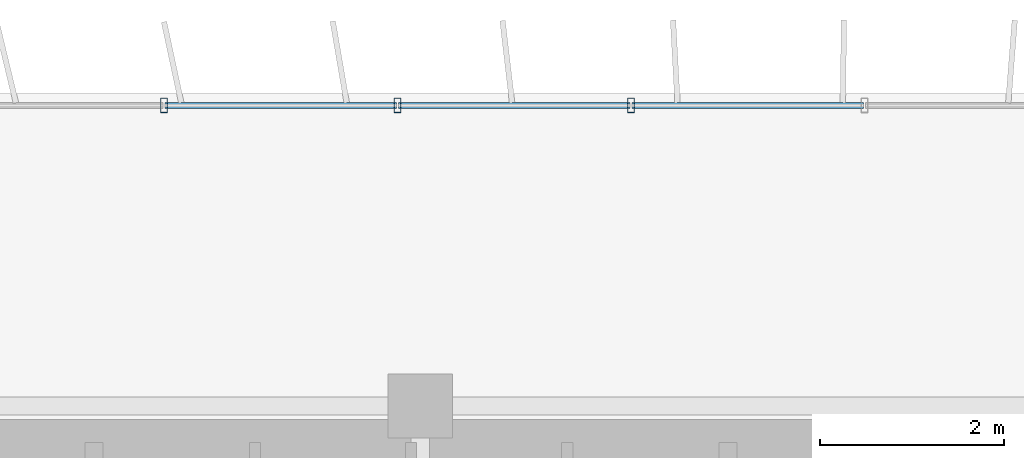
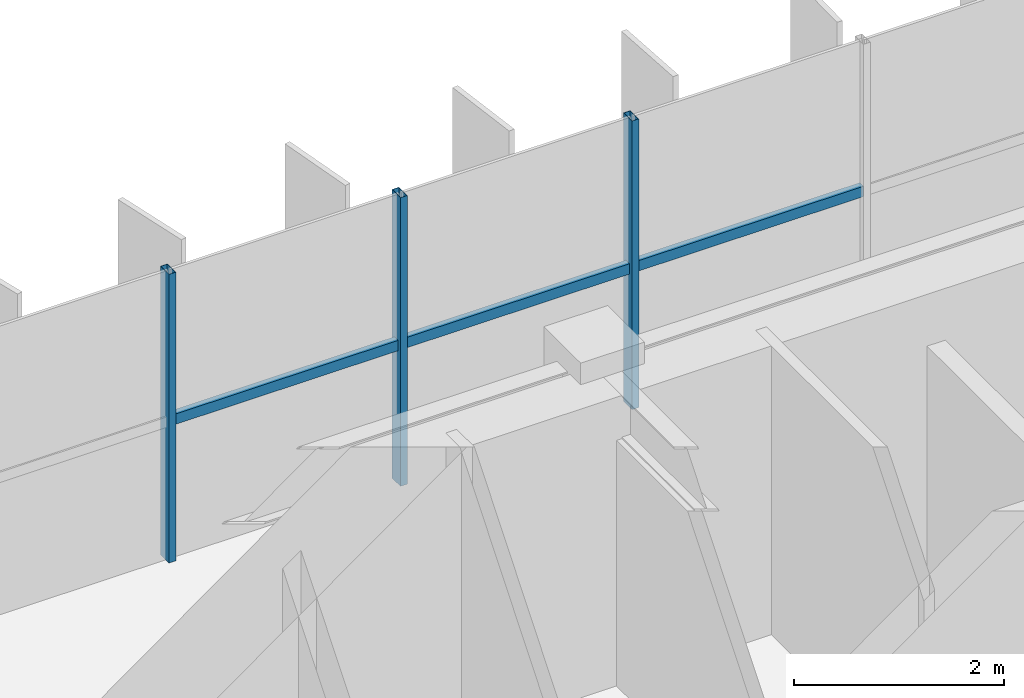
# One storey, part 9 of 21: 6 members, 1 element without a shape of its own.
"""IFC4 building model written with IfcOpenShell, lengths in metres."""

from ifc_helpers import new_model, si_unit, direction, frame, origin, origin_2d, place, context, subcontext, project, spatial, hollow_rectangle, extrude, source, transform, mapped, material, material_profile, profile_set, type_object, element, aggregate, save


model = new_model("IFC4")

# Units and contexts
model_context = context("Model", 3, precision=1e-05, world=origin(), true_north=direction((0.0, 1.0)))
body_context = subcontext(model_context, "Body", "Model", "MODEL_VIEW")
ifc_project = project(units=[si_unit("LENGTHUNIT", "METRE"), si_unit("AREAUNIT", "SQUARE_METRE"), si_unit("VOLUMEUNIT", "CUBIC_METRE"), si_unit("PLANEANGLEUNIT", "RADIAN"), si_unit("MASSUNIT", "GRAM", prefix="KILO")], contexts=[model_context])

# Site, building, storey
site_placement = place(None, origin())
site = spatial("IfcSite", under=ifc_project, at=site_placement, CompositionType="ELEMENT")
building_placement = place(site_placement, origin())
building = spatial("IfcBuilding", under=site, at=building_placement, Name="Trelvane Seafront Commons", CompositionType="ELEMENT")
storey_placement = place(building_placement, frame((0.0, 0.0, 153.699951171875)))
storey = spatial("IfcBuildingStorey", under=building, at=storey_placement, Name="L40", CompositionType="ELEMENT", Elevation=153.699951171875)

# Curtain wall, members
ifc_material = material(Name="Anodised pale-silver aluminium", Category="aluminium")
curtain_wall_type = type_object("IfcCurtainWallType", Name="ARCH-CW5-UPTOWER", PredefinedType="NOTDEFINED", material=ifc_material)
curtain_wall_placement = place(storey_placement, origin())
curtain_wall = element("IfcCurtainWall", 1, at=curtain_wall_placement, inside=storey, type_object=curtain_wall_type, Name="CW-L40-0067", PredefinedType="NOTDEFINED")
ifc_material_profile_1 = material_profile(ifc_material, hollow_rectangle(XDim=0.070068359375, YDim=0.1201171875, WallThickness=0.00390625, at=origin_2d()), Name="TRAN-70x120x4")
ifc_profile_set_1 = profile_set([ifc_material_profile_1], Name="Anodised pale-silver aluminium")
member_type_1 = type_object("IfcMemberType", Name="ARCH-CW-TRAN-120", PredefinedType="USERDEFINED", material=ifc_profile_set_1)
shared_shape_1 = source(origin(), body_context, "Body", "SweptSolid", [
    extrude(hollow_rectangle(XDim=0.070068359375, YDim=0.1201171875, WallThickness=0.00390625, at=origin_2d()), origin(), (0.0, 0.0, 1.0), 2.51708984375),
])
member_1_placement = place(storey_placement, frame((43.56494140625, 48.3701171875, 1.608154296875), z_axis=(1.0, 0.0, 0.0), x_axis=(0.0, 1.0, 0.0)))
member_1 = element("IfcMember", 2, at=member_1_placement, type_object=member_type_1, Name="CW-L40-0067-T11", ObjectType="TRANSOM", PredefinedType="USERDEFINED", context=body_context, shape_type="MappedRepresentation", body=[
    mapped(shared_shape_1, transform((0.0, 0.0, 0.0), x_axis=(1.0, 0.0, 0.0), y_axis=(0.0, 1.0, 0.0), z_axis=(0.0, 0.0, 1.0), scale=1.0)),
])
member_2_placement = place(storey_placement, frame((46.106201171875, 48.3701171875, 1.608154296875), z_axis=(1.0, 0.0, 0.0), x_axis=(0.0, 1.0, 0.0)))
member_2 = element("IfcMember", 3, at=member_2_placement, type_object=member_type_1, Name="CW-L40-0067-T12", ObjectType="TRANSOM", PredefinedType="USERDEFINED", context=body_context, shape_type="MappedRepresentation", body=[
    mapped(shared_shape_1, transform((0.0, 0.0, 0.0), x_axis=(1.0, 0.0, 0.0), y_axis=(0.0, 1.0, 0.0), z_axis=(0.0, 0.0, 1.0), scale=1.0)),
])
shared_shape_2 = source(origin(), body_context, "Body", "SweptSolid", [
    extrude(hollow_rectangle(XDim=0.070068359375, YDim=0.1201171875, WallThickness=0.00390625, at=origin_2d()), origin(), (0.0, 0.0, 1.0), 2.517333984375),
])
member_3_placement = place(storey_placement, frame((41.023681640625, 48.3701171875, 1.608154296875), z_axis=(1.0, 0.0, 0.0), x_axis=(0.0, 1.0, 0.0)))
member_3 = element("IfcMember", 4, at=member_3_placement, type_object=member_type_1, Name="CW-L40-0067-T10", ObjectType="TRANSOM", PredefinedType="USERDEFINED", context=body_context, shape_type="MappedRepresentation", body=[
    mapped(shared_shape_2, transform((0.0, 0.0, 0.0), x_axis=(1.0, 0.0, 0.0), y_axis=(0.0, 1.0, 0.0), z_axis=(0.0, 0.0, 1.0), scale=1.0)),
])
ifc_material_profile_2 = material_profile(ifc_material, hollow_rectangle(XDim=0.074951171875, YDim=0.159912109375, WallThickness=0.00390625, at=origin_2d()), Name="MULL-75x160x4")
ifc_profile_set_2 = profile_set([ifc_material_profile_2], Name="Anodised pale-silver aluminium")
member_type_2 = type_object("IfcMemberType", Name="ARCH-CW-MULL-160", PredefinedType="MULLION", material=ifc_profile_set_2)
shared_shape_3 = source(origin(), body_context, "Body", "SweptSolid", [
    extrude(hollow_rectangle(XDim=0.074951171875, YDim=0.159912109375, WallThickness=0.00390625, at=origin_2d()), origin(), (0.0, 0.0, 1.0), 3.35009765625),
])
member_4_placement = place(storey_placement, frame((41.01171875, 48.3701171875, 0.0), z_axis=(0.0, 0.0, 1.0), x_axis=(1.0, 0.0, 0.0)))
member_4 = element("IfcMember", 5, at=member_4_placement, type_object=member_type_2, Name="CW-L40-0067-M10", PredefinedType="MULLION", context=body_context, shape_type="MappedRepresentation", body=[
    mapped(shared_shape_3, transform((0.0, 0.0, 0.0), x_axis=(1.0, 0.0, 0.0), y_axis=(0.0, 1.0, 0.0), z_axis=(0.0, 0.0, 1.0), scale=1.0)),
])
member_5_placement = place(storey_placement, frame((43.552978515625, 48.3701171875, 0.0), z_axis=(0.0, 0.0, 1.0), x_axis=(1.0, 0.0, 0.0)))
member_5 = element("IfcMember", 6, at=member_5_placement, type_object=member_type_2, Name="CW-L40-0067-M11", PredefinedType="MULLION", context=body_context, shape_type="MappedRepresentation", body=[
    mapped(shared_shape_3, transform((0.0, 0.0, 0.0), x_axis=(1.0, 0.0, 0.0), y_axis=(0.0, 1.0, 0.0), z_axis=(0.0, 0.0, 1.0), scale=1.0)),
])
member_6_placement = place(storey_placement, frame((46.093994140625, 48.3701171875, 0.0), z_axis=(0.0, 0.0, 1.0), x_axis=(1.0, 0.0, 0.0)))
member_6 = element("IfcMember", 7, at=member_6_placement, type_object=member_type_2, Name="CW-L40-0067-M12", PredefinedType="MULLION", context=body_context, shape_type="MappedRepresentation", body=[
    mapped(shared_shape_3, transform((0.0, 0.0, 0.0), x_axis=(1.0, 0.0, 0.0), y_axis=(0.0, 1.0, 0.0), z_axis=(0.0, 0.0, 1.0), scale=1.0)),
])
aggregate(curtain_wall, [member_4, member_5, member_6, member_3, member_1, member_2])

save(model, "model.ifc")
